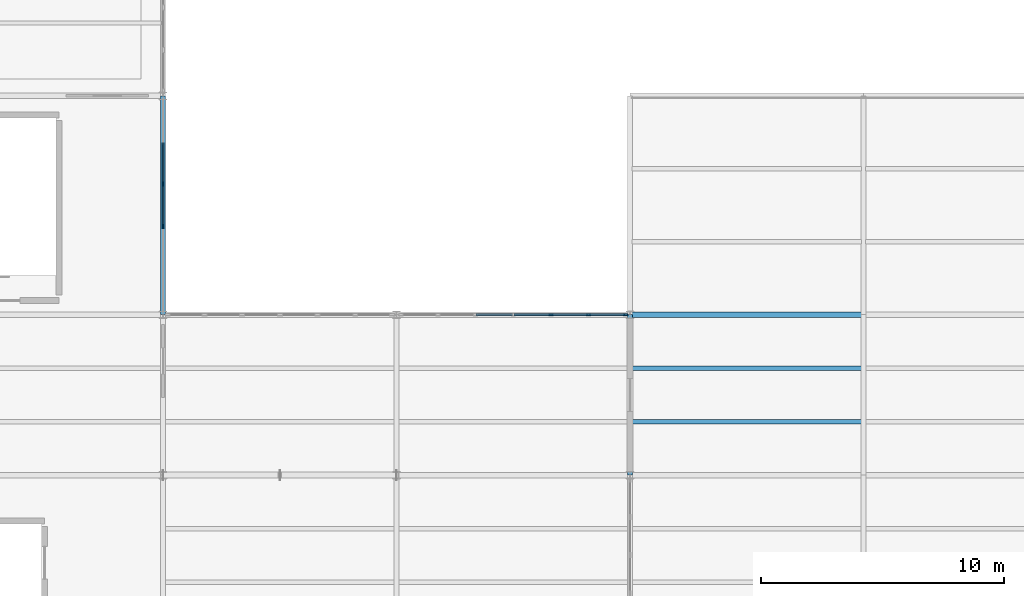
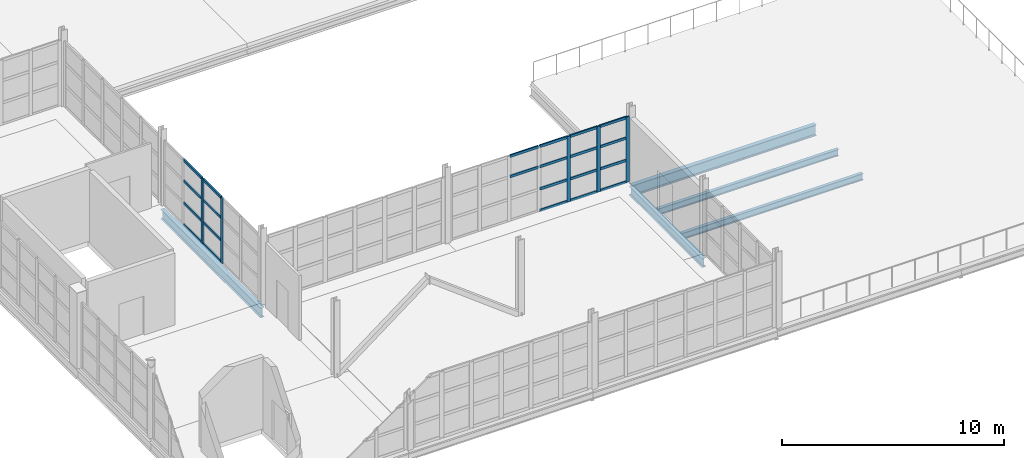
# One storey, part 45 of 82: 27 members, 5 beams, 2 elements without a shape of their own.
"""IFC4 building model written with IfcOpenShell, lengths in metres."""

import ifcopenshell
import ifcopenshell.guid

model = None  # the IFC model being written
_history = None  # IfcOwnerHistory: only IFC2X3 demands one
_inside = {}  # id of a spatial element -> (the spatial element, [elements in it])
_under = {}  # id of a project, library or spatial element -> (it, [spatial elements below it])
_declared = {}  # id of a project -> (the project, [libraries it declares])
_typed = {}  # id of a type object -> (the type object, [elements of that type])
_made_of = {}  # id of a material, layer set ... -> (it, [elements and type objects made of it])


def new_model(schema):
    """Start an empty IFC model of exactly this schema.

    Asked for "IFC4X3", IfcOpenShell would pick the latest addendum, in which some entities
    have other attributes; the version numbers below select the first issue.
    IFC2X3 requires an IfcOwnerHistory on every rooted entity: one is made here for all.
    """
    global model, _history
    if schema == "IFC4X3":
        model = ifcopenshell.file(schema_version=(4, 3, 0, 0))
    else:
        model = ifcopenshell.file(schema=schema)
    _inside.clear()
    _under.clear()
    _declared.clear()
    _typed.clear()
    _made_of.clear()
    _history = None
    if model.schema == "IFC2X3":
        org = make("IfcOrganization", Name="unknown")
        user = make(
            "IfcPersonAndOrganization",
            ThePerson=make("IfcPerson", FamilyName="unknown"),
            TheOrganization=org,
        )
        app = make(
            "IfcApplication",
            ApplicationDeveloper=org,
            Version="unknown",
            ApplicationFullName="unknown",
            ApplicationIdentifier="unknown",
        )
        _history = make(
            "IfcOwnerHistory",
            OwningUser=user,
            OwningApplication=app,
            ChangeAction="ADDED",
            CreationDate=0,
        )
    return model


def make(cls, **values):
    """One entity of the class cls with the attributes given. An attribute that is None is left unset."""
    return model.create_entity(
        cls, **{name: value for name, value in values.items() if value is not None}
    )


def rooted(cls, **values):
    """An entity with a GlobalId (a new one), such as an element, a storey or a relation."""
    return make(cls, GlobalId=ifcopenshell.guid.new(), OwnerHistory=_history, **values)


def si_unit(unit_type, name, prefix=None):
    """IfcSIUnit, for example si_unit("LENGTHUNIT", "METRE", prefix="MILLI")."""
    return make("IfcSIUnit", UnitType=unit_type, Prefix=prefix, Name=name)


def assignment(units):
    """IfcUnitAssignment: the units of a project."""
    return None if units is None else make("IfcUnitAssignment", Units=units)


def point(xyz):
    """IfcCartesianPoint."""
    return None if xyz is None else make("IfcCartesianPoint", Coordinates=xyz)


def direction(xyz):
    """IfcDirection."""
    return None if xyz is None else make("IfcDirection", DirectionRatios=xyz)


def frame(location, z_axis=None, x_axis=None):
    """IfcAxis2Placement3D, a coordinate frame: its origin and axes. An axis left out is left unset."""
    return make(
        "IfcAxis2Placement3D",
        Location=point(location),
        Axis=direction(z_axis),
        RefDirection=direction(x_axis),
    )


def frame_2d(location, x_axis=None):
    """IfcAxis2Placement2D, a coordinate frame in the plane: its origin and x axis."""
    return make(
        "IfcAxis2Placement2D", Location=point(location), RefDirection=direction(x_axis)
    )


def origin():
    """The frame at (0, 0, 0) with its axes left unset."""
    return frame((0.0, 0.0, 0.0))


def origin_2d():
    """The frame at (0, 0) in the plane with its x axis left unset."""
    return frame_2d((0.0, 0.0))


def place(relative_to, where):
    """IfcLocalPlacement: puts the frame where relative to a parent placement (None: the world)."""
    return make(
        "IfcLocalPlacement", PlacementRelTo=relative_to, RelativePlacement=where
    )


def context(
    kind, dimensions, precision=None, world=None, true_north=None, identifier=None
):
    """IfcGeometricRepresentationContext, for example the 3D "Model" context."""
    return make(
        "IfcGeometricRepresentationContext",
        ContextIdentifier=identifier,
        ContextType=kind,
        CoordinateSpaceDimension=dimensions,
        Precision=precision,
        WorldCoordinateSystem=world,
        TrueNorth=true_north,
    )


def subcontext(parent, identifier, kind, view, scale=None):
    """IfcGeometricRepresentationSubContext, for example "Body" below "Model"."""
    return make(
        "IfcGeometricRepresentationSubContext",
        ContextIdentifier=identifier,
        ContextType=kind,
        ParentContext=parent,
        TargetScale=scale,
        TargetView=view,
    )


def project(units=None, contexts=None):
    """IfcProject with its units and contexts."""
    return rooted(
        "IfcProject",
        Name="project",
        RepresentationContexts=contexts,
        UnitsInContext=assignment(units),
    )


def spatial(cls, under=None, at=None, **own):
    """A site, building, storey or space (cls), placed at a placement, below another one or the project."""
    s = rooted(cls, ObjectPlacement=at, **own)
    if under is not None:
        _under.setdefault(under.id(), (under, []))[1].append(s)
    return s


def profile(cls, at=None, kind="AREA", **sizes):
    """A parametric profile (cls). Its sizes go by their IFC names, for example OverallWidth=200.0."""
    return make(cls, ProfileType=kind, Position=at, **sizes)


def rectangle(**sizes):
    """IfcRectangleProfileDef."""
    return profile("IfcRectangleProfileDef", **sizes)


def i_section(**sizes):
    """IfcIShapeProfileDef."""
    return profile("IfcIShapeProfileDef", **sizes)


def extrude(swept, where, along, depth):
    """IfcExtrudedAreaSolid: the profile swept, set in the frame where, extruded along a direction by depth."""
    return make(
        "IfcExtrudedAreaSolid",
        SweptArea=swept,
        Position=where,
        ExtrudedDirection=direction(along),
        Depth=depth,
    )


def shape(context_of_items, identifier, shape_type, items):
    """IfcShapeRepresentation: the items that make up one representation, for example the "Body"."""
    return make(
        "IfcShapeRepresentation",
        ContextOfItems=context_of_items,
        RepresentationIdentifier=identifier,
        RepresentationType=shape_type,
        Items=items,
    )


def material(Name=None, Category=None):
    """IfcMaterial."""
    return make("IfcMaterial", Name=Name, Category=Category)


def layer(
    of_material, thickness, ventilated=None, Name=None, Category=None, Priority=None
):
    """IfcMaterialLayer: one layer of a wall or slab, of a material (None: an air gap)."""
    return make(
        "IfcMaterialLayer",
        Material=of_material,
        LayerThickness=thickness,
        IsVentilated=ventilated,
        Name=Name,
        Category=Category,
        Priority=Priority,
    )


def layer_set(layers, Name=None):
    """IfcMaterialLayerSet."""
    return make("IfcMaterialLayerSet", MaterialLayers=layers, LayerSetName=Name)


def material_profile(
    of_material, cross_section, Name=None, Category=None, Priority=None
):
    """IfcMaterialProfile: a cross section and its material."""
    return make(
        "IfcMaterialProfile",
        Name=Name,
        Material=of_material,
        Profile=cross_section,
        Priority=Priority,
        Category=Category,
    )


def profile_set(profiles, Name=None, composite=None):
    """IfcMaterialProfileSet."""
    return make(
        "IfcMaterialProfileSet",
        Name=Name,
        MaterialProfiles=profiles,
        CompositeProfile=composite,
    )


def made_of(thing, what):
    """Note that an element or type object is made of a material, layer set ...; save() writes the relation."""
    if what is not None:
        _made_of.setdefault(what.id(), (what, []))[1].append(thing)
    return thing


def type_object(cls, material=None, **own):
    """A type object (cls), such as IfcWallType, which elements share."""
    return made_of(rooted(cls, **own), material)


def element(
    cls,
    number,
    at=None,
    inside=None,
    cuts=None,
    type_object=None,
    material=None,
    context=None,
    identifier="Body",
    shape_type=None,
    held_by="IfcProductDefinitionShape",
    body=None,
    shapes=None,
    **own,
):
    """One element of the class cls, such as IfcWall. Its Tag is "e" and its number.

    at: its placement. inside: the storey or other place that contains it. cuts: it is an
    opening in that element (IfcRelVoidsElement). A single representation is given by context,
    identifier, shape_type and body (its items); several are given by shapes. held_by: the class
    of the entity that holds the representations. save() writes the other relations.
    """
    e = rooted(cls, Tag="e%d" % number, ObjectPlacement=at, **own)
    if body is not None:
        shapes = [shape(context, identifier, shape_type, body)]
    if shapes is not None:
        e.Representation = make(held_by, Representations=shapes)
    if inside is not None:
        _inside.setdefault(inside.id(), (inside, []))[1].append(e)
    if cuts is not None:
        rooted(
            "IfcRelVoidsElement", RelatingBuildingElement=cuts, RelatedOpeningElement=e
        )
    if type_object is not None:
        _typed.setdefault(type_object.id(), (type_object, []))[1].append(e)
    return made_of(e, material)


def aggregate(whole, parts):
    """IfcRelAggregates: a whole, such as a stair, and the parts it consists of."""
    return rooted("IfcRelAggregates", RelatingObject=whole, RelatedObjects=parts)


def save(model, path):
    """Write the relations noted so far, then the file.

    IfcRelAggregates (storeys below a building ...), IfcRelContainedInSpatialStructure (elements
    in a storey), IfcRelDefinesByType, IfcRelAssociatesMaterial and IfcRelDeclares: one each for
    every whole, place, type object, material and project.
    """
    for whole, parts in _under.values():
        aggregate(whole, parts)
    for where, things in _inside.values():
        rooted(
            "IfcRelContainedInSpatialStructure",
            RelatedElements=things,
            RelatingStructure=where,
        )
    for kind, things in _typed.values():
        rooted("IfcRelDefinesByType", RelatedObjects=things, RelatingType=kind)
    for what, things in _made_of.values():
        rooted("IfcRelAssociatesMaterial", RelatedObjects=things, RelatingMaterial=what)
    for by, libraries in _declared.values():
        rooted("IfcRelDeclares", RelatingContext=by, RelatedDefinitions=libraries)
    model.write(path)


model = new_model("IFC4")

# Units and contexts
model_context = context("Model", 3, precision=1e-05, world=origin(), true_north=direction((0.0, 1.0)))
body_context = subcontext(model_context, "Body", "Model", "MODEL_VIEW")
ifc_project = project(units=[si_unit("LENGTHUNIT", "METRE"), si_unit("AREAUNIT", "SQUARE_METRE"), si_unit("VOLUMEUNIT", "CUBIC_METRE"), si_unit("PLANEANGLEUNIT", "RADIAN"), si_unit("MASSUNIT", "GRAM", prefix="KILO")], contexts=[model_context])

# Site, building, storey
site_placement = place(None, origin())
site = spatial("IfcSite", under=ifc_project, at=site_placement, CompositionType="ELEMENT")
building_placement = place(site_placement, origin())
building = spatial("IfcBuilding", under=site, at=building_placement, Name="Zarnetskaya Central Station", CompositionType="ELEMENT")
storey_placement = place(building_placement, frame((0.0, 0.0, 10.199951171875)))
storey = spatial("IfcBuildingStorey", under=building, at=storey_placement, Name="L02", CompositionType="ELEMENT", Elevation=10.199951171875)

# Beams
ifc_material_1 = material(Name="Steel S355", Category="steel")
ifc_material_profile_1 = material_profile(ifc_material_1, i_section(OverallWidth=0.169921875, OverallDepth=0.360107421875, WebThickness=0.008056640625, FlangeThickness=0.0126953125, FilletRadius=0.01806640625, at=origin_2d()), Name="IPE 360")
ifc_profile_set_1 = profile_set([ifc_material_profile_1], Name="Steel S355")
beam_type_1 = type_object("IfcBeamType", Name="BM-SEC-360", PredefinedType="BEAM", material=ifc_profile_set_1)
for number, where, z_axis, x_axis, name in (
    (1, (153.679931640625, 8.800048828125, -0.39990234375), (1.0, 0.0, 0.0), (0.0, 1.0, 0.0), "Secondary floor beam SEC-L02-Z998-ST-23-1"),
    (2, (153.679931640625, 11.0, -0.39990234375), (1.0, 0.0, 0.0), (0.0, 1.0, 0.0), "Secondary floor beam SEC-L02-Z998-ST-23-2"),
):
    element("IfcBeam", number, at=place(storey_placement, frame(where, z_axis=z_axis, x_axis=x_axis)), inside=storey, type_object=beam_type_1, Name=name, PredefinedType="BEAM", context=body_context, shape_type="SweptSolid", body=[
        extrude(i_section(OverallWidth=0.169921875, OverallDepth=0.360107421875, WebThickness=0.008056640625, FlangeThickness=0.0126953125, FilletRadius=0.01806640625, at=origin_2d()), origin(), (0.0, 0.0, 1.0), 9.440185546875),
    ])

# Curtain wall, members
ifc_material_2 = material(Name="Low-E insulated glass", Category="glass")
ifc_layer = layer(ifc_material_2, 0.1640625, Name="Low-E insulated glass", Category="glass")
ifc_layer_set = layer_set([ifc_layer], Name="Low-E insulated glass")
curtain_wall_type = type_object("IfcCurtainWallType", Name="CW-SYS-07", PredefinedType="USERDEFINED", material=ifc_layer_set)
curtain_wall_1_placement = place(storey_placement, origin())
curtain_wall_1 = element("IfcCurtainWall", 3, at=curtain_wall_1_placement, inside=storey, type_object=curtain_wall_type, Name="Curtain wall CW-L02-139", ObjectType="CURTAIN WALL", PredefinedType="USERDEFINED")
ifc_material_3 = material(Name="Anodised aluminium", Category="aluminium")
ifc_material_profile_2 = material_profile(ifc_material_3, rectangle(XDim=0.070068359375, YDim=0.179931640625, at=origin_2d()), Name="ALU MULL 70x180")
ifc_profile_set_2 = profile_set([ifc_material_profile_2], Name="Anodised aluminium")
member_type_1 = type_object("IfcMemberType", Name="CW-MULL-180", PredefinedType="MULLION", material=ifc_profile_set_2)
member_1_placement = place(storey_placement, frame((134.39990234375, 18.570068359375, 0.0), z_axis=(0.0, 0.0, 1.0), x_axis=(1.0, 0.0, 0.0)))
member_1 = element("IfcMember", 4, at=member_1_placement, type_object=member_type_1, Name="CW-06 mullion 3", PredefinedType="MULLION", context=body_context, shape_type="SweptSolid", body=[
    extrude(rectangle(XDim=0.070068359375, YDim=0.179931640625, at=origin_2d()), origin(), (0.0, 0.0, 1.0), 3.60009765625),
])
member_2_placement = place(storey_placement, frame((134.39990234375, 16.830078125, 0.0), z_axis=(0.0, 0.0, 1.0), x_axis=(1.0, 0.0, 0.0)))
member_2 = element("IfcMember", 5, at=member_2_placement, type_object=member_type_1, Name="CW-06 mullion 4", PredefinedType="MULLION", context=body_context, shape_type="SweptSolid", body=[
    extrude(rectangle(XDim=0.070068359375, YDim=0.179931640625, at=origin_2d()), origin(), (0.0, 0.0, 1.0), 3.60009765625),
])

curtain_wall_2_placement = place(storey_placement, origin())
curtain_wall_2 = element("IfcCurtainWall", 6, at=curtain_wall_2_placement, inside=storey, type_object=curtain_wall_type, Name="Curtain wall CW-L02-141", ObjectType="CURTAIN WALL", PredefinedType="USERDEFINED")
member_3_placement = place(storey_placement, frame((150.35009765625, 13.199951171875, 0.0), z_axis=(0.0, 0.0, 1.0), x_axis=(0.0, 1.0, 0.0)))
member_3 = element("IfcMember", 7, at=member_3_placement, type_object=member_type_1, Name="CW-06 mullion 5", PredefinedType="MULLION", context=body_context, shape_type="SweptSolid", body=[
    extrude(rectangle(XDim=0.070068359375, YDim=0.179931640625, at=origin_2d()), origin(), (0.0, 0.0, 1.0), 3.60009765625),
])
member_4_placement = place(storey_placement, frame((151.89990234375, 13.199951171875, 0.0), z_axis=(0.0, 0.0, 1.0), x_axis=(0.0, 1.0, 0.0)))
member_4 = element("IfcMember", 8, at=member_4_placement, type_object=member_type_1, Name="CW-06 mullion 6", PredefinedType="MULLION", context=body_context, shape_type="SweptSolid", body=[
    extrude(rectangle(XDim=0.070068359375, YDim=0.179931640625, at=origin_2d()), origin(), (0.0, 0.0, 1.0), 3.60009765625),
])
member_5_placement = place(storey_placement, frame((153.4150390625, 13.199951171875, 0.0), z_axis=(0.0, 0.0, 1.0), x_axis=(0.0, 1.0, 0.0)))
member_5 = element("IfcMember", 9, at=member_5_placement, type_object=member_type_1, Name="CW-06 mullion 7", PredefinedType="MULLION", context=body_context, shape_type="SweptSolid", body=[
    extrude(rectangle(XDim=0.070068359375, YDim=0.179931640625, at=origin_2d()), origin(), (0.0, 0.0, 1.0), 3.60009765625),
])

# Member
ifc_material_profile_3 = material_profile(ifc_material_3, rectangle(XDim=0.070068359375, YDim=0.139892578125, at=origin_2d()), Name="ALU TRAN 70x140")
ifc_profile_set_3 = profile_set([ifc_material_profile_3], Name="Anodised aluminium")
member_type_2 = type_object("IfcMemberType", Name="CW-TRAN-140", PredefinedType="USERDEFINED", material=ifc_profile_set_3)
member_6_placement = place(storey_placement, frame((134.39990234375, 20.27490234375, 0.03515625), z_axis=(0.0, -1.0, 0.0), x_axis=(1.0, 0.0, 0.0)))
member_6 = element("IfcMember", 10, at=member_6_placement, type_object=member_type_2, Name="CW-06 transom 2.1", ObjectType="TRANSOM", PredefinedType="USERDEFINED", context=body_context, shape_type="SweptSolid", body=[
    extrude(rectangle(XDim=0.070068359375, YDim=0.139892578125, at=origin_2d()), origin(), (0.0, 0.0, 1.0), 1.669921875),
])

member_7_placement = place(storey_placement, frame((134.39990234375, 20.27490234375, 1.22412109375), z_axis=(0.0, -1.0, 0.0), x_axis=(1.0, 0.0, 0.0)))
member_7 = element("IfcMember", 11, at=member_7_placement, type_object=member_type_2, Name="CW-06 transom 2.2", ObjectType="TRANSOM", PredefinedType="USERDEFINED", context=body_context, shape_type="SweptSolid", body=[
    extrude(rectangle(XDim=0.070068359375, YDim=0.139892578125, at=origin_2d()), origin(), (0.0, 0.0, 1.0), 1.669921875),
])

member_8_placement = place(storey_placement, frame((134.39990234375, 20.27490234375, 2.447998046875), z_axis=(0.0, -1.0, 0.0), x_axis=(1.0, 0.0, 0.0)))
member_8 = element("IfcMember", 12, at=member_8_placement, type_object=member_type_2, Name="CW-06 transom 2.3", ObjectType="TRANSOM", PredefinedType="USERDEFINED", context=body_context, shape_type="SweptSolid", body=[
    extrude(rectangle(XDim=0.070068359375, YDim=0.139892578125, at=origin_2d()), origin(), (0.0, 0.0, 1.0), 1.669921875),
])

member_9_placement = place(storey_placement, frame((134.39990234375, 20.27490234375, 3.56494140625), z_axis=(0.0, -1.0, 0.0), x_axis=(1.0, 0.0, 0.0)))
member_9 = element("IfcMember", 13, at=member_9_placement, type_object=member_type_2, Name="CW-06 transom 2.4", ObjectType="TRANSOM", PredefinedType="USERDEFINED", context=body_context, shape_type="SweptSolid", body=[
    extrude(rectangle(XDim=0.070068359375, YDim=0.139892578125, at=origin_2d()), origin(), (0.0, 0.0, 1.0), 1.669921875),
])

member_10_placement = place(storey_placement, frame((134.39990234375, 18.534912109375, 0.03515625), z_axis=(0.0, -1.0, 0.0), x_axis=(1.0, 0.0, 0.0)))
member_10 = element("IfcMember", 14, at=member_10_placement, type_object=member_type_2, Name="CW-06 transom 3.1", ObjectType="TRANSOM", PredefinedType="USERDEFINED", context=body_context, shape_type="SweptSolid", body=[
    extrude(rectangle(XDim=0.070068359375, YDim=0.139892578125, at=origin_2d()), origin(), (0.0, 0.0, 1.0), 1.669921875),
])

member_11_placement = place(storey_placement, frame((134.39990234375, 18.534912109375, 1.22412109375), z_axis=(0.0, -1.0, 0.0), x_axis=(1.0, 0.0, 0.0)))
member_11 = element("IfcMember", 15, at=member_11_placement, type_object=member_type_2, Name="CW-06 transom 3.2", ObjectType="TRANSOM", PredefinedType="USERDEFINED", context=body_context, shape_type="SweptSolid", body=[
    extrude(rectangle(XDim=0.070068359375, YDim=0.139892578125, at=origin_2d()), origin(), (0.0, 0.0, 1.0), 1.669921875),
])

member_12_placement = place(storey_placement, frame((134.39990234375, 18.534912109375, 2.447998046875), z_axis=(0.0, -1.0, 0.0), x_axis=(1.0, 0.0, 0.0)))
member_12 = element("IfcMember", 16, at=member_12_placement, type_object=member_type_2, Name="CW-06 transom 3.3", ObjectType="TRANSOM", PredefinedType="USERDEFINED", context=body_context, shape_type="SweptSolid", body=[
    extrude(rectangle(XDim=0.070068359375, YDim=0.139892578125, at=origin_2d()), origin(), (0.0, 0.0, 1.0), 1.669921875),
])

member_13_placement = place(storey_placement, frame((134.39990234375, 18.534912109375, 3.56494140625), z_axis=(0.0, -1.0, 0.0), x_axis=(1.0, 0.0, 0.0)))
member_13 = element("IfcMember", 17, at=member_13_placement, type_object=member_type_2, Name="CW-06 transom 3.4", ObjectType="TRANSOM", PredefinedType="USERDEFINED", context=body_context, shape_type="SweptSolid", body=[
    extrude(rectangle(XDim=0.070068359375, YDim=0.139892578125, at=origin_2d()), origin(), (0.0, 0.0, 1.0), 1.669921875),
])

aggregate(curtain_wall_1, [member_1, member_2, member_6, member_7, member_8, member_9, member_10, member_11, member_12, member_13])

member_14_placement = place(storey_placement, frame((147.284912109375, 13.199951171875, 2.447998046875), z_axis=(1.0, 0.0, 0.0), x_axis=(0.0, 1.0, 0.0)))
member_14 = element("IfcMember", 18, at=member_14_placement, type_object=member_type_2, Name="CW-06 transom 3.3", ObjectType="TRANSOM", PredefinedType="USERDEFINED", context=body_context, shape_type="SweptSolid", body=[
    extrude(rectangle(XDim=0.070068359375, YDim=0.139892578125, at=origin_2d()), origin(), (0.0, 0.0, 1.0), 1.47998046875),
])

member_15_placement = place(storey_placement, frame((147.284912109375, 13.199951171875, 3.56494140625), z_axis=(1.0, 0.0, 0.0), x_axis=(0.0, 1.0, 0.0)))
member_15 = element("IfcMember", 19, at=member_15_placement, type_object=member_type_2, Name="CW-06 transom 3.4", ObjectType="TRANSOM", PredefinedType="USERDEFINED", context=body_context, shape_type="SweptSolid", body=[
    extrude(rectangle(XDim=0.070068359375, YDim=0.139892578125, at=origin_2d()), origin(), (0.0, 0.0, 1.0), 1.47998046875),
])

member_16_placement = place(storey_placement, frame((148.8349609375, 13.199951171875, 0.03515625), z_axis=(1.0, 0.0, 0.0), x_axis=(0.0, 1.0, 0.0)))
member_16 = element("IfcMember", 20, at=member_16_placement, type_object=member_type_2, Name="CW-06 transom 4.1", ObjectType="TRANSOM", PredefinedType="USERDEFINED", context=body_context, shape_type="SweptSolid", body=[
    extrude(rectangle(XDim=0.070068359375, YDim=0.139892578125, at=origin_2d()), origin(), (0.0, 0.0, 1.0), 1.47998046875),
])

member_17_placement = place(storey_placement, frame((148.8349609375, 13.199951171875, 1.22412109375), z_axis=(1.0, 0.0, 0.0), x_axis=(0.0, 1.0, 0.0)))
member_17 = element("IfcMember", 21, at=member_17_placement, type_object=member_type_2, Name="CW-06 transom 4.2", ObjectType="TRANSOM", PredefinedType="USERDEFINED", context=body_context, shape_type="SweptSolid", body=[
    extrude(rectangle(XDim=0.070068359375, YDim=0.139892578125, at=origin_2d()), origin(), (0.0, 0.0, 1.0), 1.47998046875),
])

member_18_placement = place(storey_placement, frame((148.8349609375, 13.199951171875, 2.447998046875), z_axis=(1.0, 0.0, 0.0), x_axis=(0.0, 1.0, 0.0)))
member_18 = element("IfcMember", 22, at=member_18_placement, type_object=member_type_2, Name="CW-06 transom 4.3", ObjectType="TRANSOM", PredefinedType="USERDEFINED", context=body_context, shape_type="SweptSolid", body=[
    extrude(rectangle(XDim=0.070068359375, YDim=0.139892578125, at=origin_2d()), origin(), (0.0, 0.0, 1.0), 1.47998046875),
])

member_19_placement = place(storey_placement, frame((148.8349609375, 13.199951171875, 3.56494140625), z_axis=(1.0, 0.0, 0.0), x_axis=(0.0, 1.0, 0.0)))
member_19 = element("IfcMember", 23, at=member_19_placement, type_object=member_type_2, Name="CW-06 transom 4.4", ObjectType="TRANSOM", PredefinedType="USERDEFINED", context=body_context, shape_type="SweptSolid", body=[
    extrude(rectangle(XDim=0.070068359375, YDim=0.139892578125, at=origin_2d()), origin(), (0.0, 0.0, 1.0), 1.47998046875),
])

member_20_placement = place(storey_placement, frame((150.385009765625, 13.199951171875, 0.03515625), z_axis=(1.0, 0.0, 0.0), x_axis=(0.0, 1.0, 0.0)))
member_20 = element("IfcMember", 24, at=member_20_placement, type_object=member_type_2, Name="CW-06 transom 5.1", ObjectType="TRANSOM", PredefinedType="USERDEFINED", context=body_context, shape_type="SweptSolid", body=[
    extrude(rectangle(XDim=0.070068359375, YDim=0.139892578125, at=origin_2d()), origin(), (0.0, 0.0, 1.0), 1.47998046875),
])

member_21_placement = place(storey_placement, frame((150.385009765625, 13.199951171875, 1.22412109375), z_axis=(1.0, 0.0, 0.0), x_axis=(0.0, 1.0, 0.0)))
member_21 = element("IfcMember", 25, at=member_21_placement, type_object=member_type_2, Name="CW-06 transom 5.2", ObjectType="TRANSOM", PredefinedType="USERDEFINED", context=body_context, shape_type="SweptSolid", body=[
    extrude(rectangle(XDim=0.070068359375, YDim=0.139892578125, at=origin_2d()), origin(), (0.0, 0.0, 1.0), 1.47998046875),
])

member_22_placement = place(storey_placement, frame((150.385009765625, 13.199951171875, 2.447998046875), z_axis=(1.0, 0.0, 0.0), x_axis=(0.0, 1.0, 0.0)))
member_22 = element("IfcMember", 26, at=member_22_placement, type_object=member_type_2, Name="CW-06 transom 5.3", ObjectType="TRANSOM", PredefinedType="USERDEFINED", context=body_context, shape_type="SweptSolid", body=[
    extrude(rectangle(XDim=0.070068359375, YDim=0.139892578125, at=origin_2d()), origin(), (0.0, 0.0, 1.0), 1.47998046875),
])

member_23_placement = place(storey_placement, frame((150.385009765625, 13.199951171875, 3.56494140625), z_axis=(1.0, 0.0, 0.0), x_axis=(0.0, 1.0, 0.0)))
member_23 = element("IfcMember", 27, at=member_23_placement, type_object=member_type_2, Name="CW-06 transom 5.4", ObjectType="TRANSOM", PredefinedType="USERDEFINED", context=body_context, shape_type="SweptSolid", body=[
    extrude(rectangle(XDim=0.070068359375, YDim=0.139892578125, at=origin_2d()), origin(), (0.0, 0.0, 1.0), 1.47998046875),
])

member_24_placement = place(storey_placement, frame((151.93505859375, 13.199951171875, 0.03515625), z_axis=(1.0, 0.0, 0.0), x_axis=(0.0, 1.0, 0.0)))
member_24 = element("IfcMember", 28, at=member_24_placement, type_object=member_type_2, Name="CW-06 transom 6.1", ObjectType="TRANSOM", PredefinedType="USERDEFINED", context=body_context, shape_type="SweptSolid", body=[
    extrude(rectangle(XDim=0.070068359375, YDim=0.139892578125, at=origin_2d()), origin(), (0.0, 0.0, 1.0), 1.44482421875),
])

member_25_placement = place(storey_placement, frame((151.93505859375, 13.199951171875, 1.22412109375), z_axis=(1.0, 0.0, 0.0), x_axis=(0.0, 1.0, 0.0)))
member_25 = element("IfcMember", 29, at=member_25_placement, type_object=member_type_2, Name="CW-06 transom 6.2", ObjectType="TRANSOM", PredefinedType="USERDEFINED", context=body_context, shape_type="SweptSolid", body=[
    extrude(rectangle(XDim=0.070068359375, YDim=0.139892578125, at=origin_2d()), origin(), (0.0, 0.0, 1.0), 1.44482421875),
])

member_26_placement = place(storey_placement, frame((151.93505859375, 13.199951171875, 2.447998046875), z_axis=(1.0, 0.0, 0.0), x_axis=(0.0, 1.0, 0.0)))
member_26 = element("IfcMember", 30, at=member_26_placement, type_object=member_type_2, Name="CW-06 transom 6.3", ObjectType="TRANSOM", PredefinedType="USERDEFINED", context=body_context, shape_type="SweptSolid", body=[
    extrude(rectangle(XDim=0.070068359375, YDim=0.139892578125, at=origin_2d()), origin(), (0.0, 0.0, 1.0), 1.44482421875),
])

member_27_placement = place(storey_placement, frame((151.93505859375, 13.199951171875, 3.56494140625), z_axis=(1.0, 0.0, 0.0), x_axis=(0.0, 1.0, 0.0)))
member_27 = element("IfcMember", 31, at=member_27_placement, type_object=member_type_2, Name="CW-06 transom 6.4", ObjectType="TRANSOM", PredefinedType="USERDEFINED", context=body_context, shape_type="SweptSolid", body=[
    extrude(rectangle(XDim=0.070068359375, YDim=0.139892578125, at=origin_2d()), origin(), (0.0, 0.0, 1.0), 1.44482421875),
])

aggregate(curtain_wall_2, [member_3, member_4, member_5, member_14, member_15, member_16, member_17, member_18, member_19, member_20, member_21, member_22, member_23, member_24, member_25, member_26, member_27])

# Beams
ifc_material_profile_4 = material_profile(ifc_material_1, i_section(OverallWidth=0.199951171875, OverallDepth=0.5, WebThickness=0.01025390625, FlangeThickness=0.01611328125, FilletRadius=0.02099609375, at=origin_2d()), Name="IPE 500")
ifc_profile_set_4 = profile_set([ifc_material_profile_4], Name="Steel S355")
beam_type_2 = type_object("IfcBeamType", Name="GD-FLR-500", PredefinedType="USERDEFINED", material=ifc_profile_set_4)
beam_1_placement = place(storey_placement, frame((153.60009765625, 6.60009765625, -0.510009765625), z_axis=(0.0, 1.0, 0.0), x_axis=(-1.0, 0.0, 0.0)))
element("IfcBeam", 32, at=beam_1_placement, inside=storey, type_object=beam_type_2, Name="Grid girder GY-L02-S-23", ObjectType="GIRDER", PredefinedType="USERDEFINED", context=body_context, shape_type="SweptSolid", body=[
    extrude(i_section(OverallWidth=0.199951171875, OverallDepth=0.5, WebThickness=0.01025390625, FlangeThickness=0.01611328125, FilletRadius=0.02099609375, at=origin_2d()), origin(), (0.0, 0.0, 1.0), 6.599853515625),
])
ifc_material_profile_5 = material_profile(ifc_material_1, i_section(OverallWidth=0.2099609375, OverallDepth=0.550048828125, WebThickness=0.010986328125, FlangeThickness=0.01708984375, FilletRadius=0.02392578125, at=origin_2d()), Name="IPE 550")
ifc_profile_set_5 = profile_set([ifc_material_profile_5], Name="Steel S355")
beam_type_3 = type_object("IfcBeamType", Name="GD-FLR-550", PredefinedType="USERDEFINED", material=ifc_profile_set_5)
beam_2_placement = place(storey_placement, frame((134.39990234375, 13.199951171875, -0.534912109375), z_axis=(0.0, 1.0, 0.0), x_axis=(-1.0, 0.0, 0.0)))
element("IfcBeam", 33, at=beam_2_placement, inside=storey, type_object=beam_type_3, Name="Grid girder GY-L02-Q-34", ObjectType="GIRDER", PredefinedType="USERDEFINED", context=body_context, shape_type="SweptSolid", body=[
    extrude(i_section(OverallWidth=0.2099609375, OverallDepth=0.550048828125, WebThickness=0.010986328125, FlangeThickness=0.01708984375, FilletRadius=0.02392578125, at=origin_2d()), origin(), (0.0, 0.0, 1.0), 9.0),
])
ifc_material_profile_6 = material_profile(ifc_material_1, i_section(OverallWidth=0.219970703125, OverallDepth=0.60009765625, WebThickness=0.011962890625, FlangeThickness=0.01904296875, FilletRadius=0.02392578125, at=origin_2d()), Name="IPE 600")
ifc_profile_set_6 = profile_set([ifc_material_profile_6], Name="Steel S355")
beam_type_4 = type_object("IfcBeamType", Name="GD-FLR-600", PredefinedType="USERDEFINED", material=ifc_profile_set_6)
beam_3_placement = place(storey_placement, frame((153.60009765625, 13.199951171875, -0.52001953125), z_axis=(1.0, 0.0, 0.0), x_axis=(0.0, 1.0, 0.0)))
element("IfcBeam", 34, at=beam_3_placement, inside=storey, type_object=beam_type_4, Name="Grid girder GX-L02-3-ST", ObjectType="GIRDER", PredefinedType="USERDEFINED", context=body_context, shape_type="SweptSolid", body=[
    extrude(i_section(OverallWidth=0.219970703125, OverallDepth=0.60009765625, WebThickness=0.011962890625, FlangeThickness=0.01904296875, FilletRadius=0.02392578125, at=origin_2d()), origin(), (0.0, 0.0, 1.0), 9.599853515625),
])

save(model, "model.ifc")
